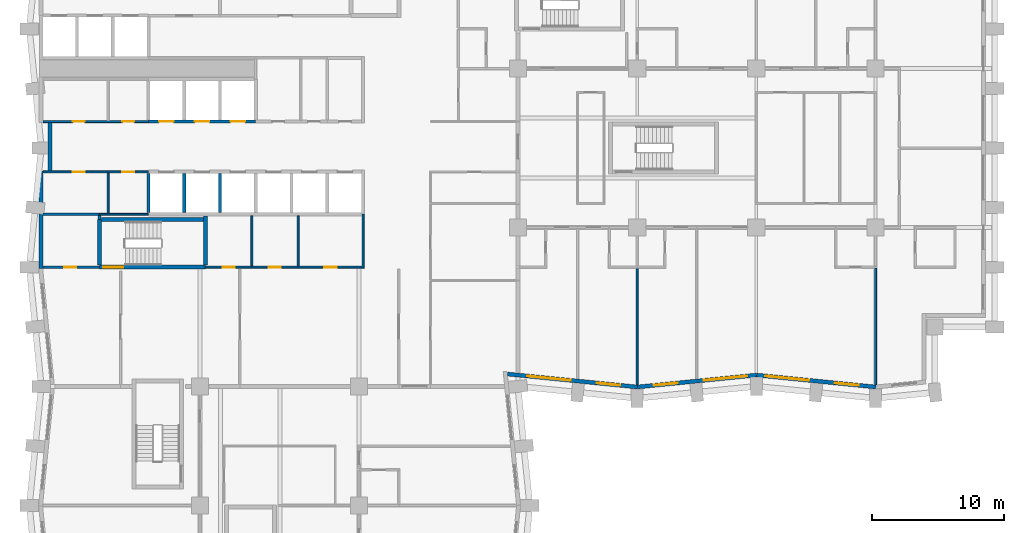
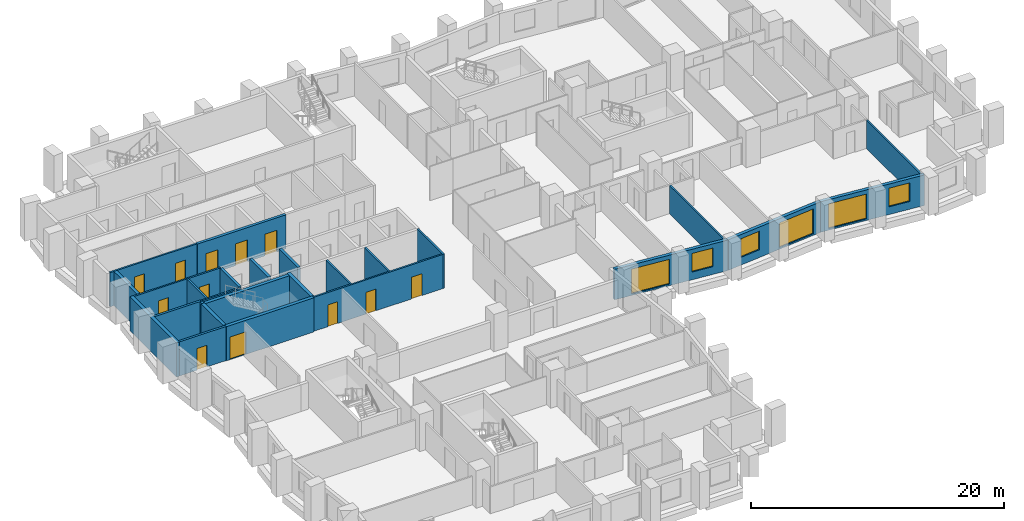
# One storey, part 5 of 12: 26 walls, 12 doors, 6 windows, 18 openings.
"""IFC4 building model written with IfcOpenShell, lengths in metres."""

from ifc_helpers import new_model, si_unit, direction, frame, frame_2d, origin, place, context, subcontext, project, spatial, rectangle, extrude, material, layer, layer_set, type_object, element, fill, save


model = new_model("IFC4")

# Units and contexts
model_context = context("Model", 3, precision=1e-05, world=origin(), true_north=direction((0.0, 1.0)))
body_context = subcontext(model_context, "Body", "Model", "MODEL_VIEW")
ifc_project = project(units=[si_unit("LENGTHUNIT", "METRE"), si_unit("AREAUNIT", "SQUARE_METRE"), si_unit("VOLUMEUNIT", "CUBIC_METRE"), si_unit("PLANEANGLEUNIT", "RADIAN"), si_unit("MASSUNIT", "GRAM", prefix="KILO")], contexts=[model_context])

# Site, building, storey
site_placement = place(None, origin())
site = spatial("IfcSite", under=ifc_project, at=site_placement, CompositionType="ELEMENT")
building_placement = place(site_placement, origin())
building = spatial("IfcBuilding", under=site, at=building_placement, Name="Brondeck Convention Tower", CompositionType="ELEMENT")
storey_placement = place(building_placement, frame((0.0, 0.0, 77.10009765625)))
storey = spatial("IfcBuildingStorey", under=building, at=storey_placement, Name="L17", CompositionType="ELEMENT", Elevation=77.10009765625)

# Wall, openings, doors
ifc_material_1 = material(Name="Concrete C80/95", Category="concrete")
ifc_layer_1 = layer(ifc_material_1, 0.14990234375)
ifc_layer_set_1 = layer_set([ifc_layer_1], Name="Core beam-seat wall 150 Concrete C80/95")
wall_type_1 = type_object("IfcWallType", Name="Core beam-seat wall 150 Concrete C80/95", PredefinedType="SHEAR", material=ifc_layer_set_1)
wall_1_placement = place(storey_placement, frame((12.39990234375, 36.0, 0.0), z_axis=(0.0, 0.0, 1.0), x_axis=(1.0, 0.0, 0.0)))
wall_1 = element("IfcWall", 1, at=wall_1_placement, inside=storey, type_object=wall_type_1, Name="L17 core wall", PredefinedType="SHEAR", context=body_context, shape_type="SweptSolid", body=[
    extrude(rectangle(XDim=11.8251953125, YDim=0.14990234375, at=frame_2d((5.91259765625, 0.0))), origin(), (0.0, 0.0, 1.0), 3.2998046875),
])
opening_1_placement = place(wall_1_placement, frame((1.300048828125, 0.0, 0.0)))
opening_1 = element("IfcOpeningElement", 2, at=opening_1_placement, cuts=wall_1, Name="Opening C12-03", PredefinedType="OPENING", context=body_context, shape_type="SweptSolid", body=[
    extrude(rectangle(XDim=0.89990234375, YDim=2.10009765625, at=frame_2d((0.449951171875, 1.050048828125))), frame((0.0, 0.0849609375, 0.0), z_axis=(0.0, -1.0, 0.0), x_axis=(1.0, 0.0, 0.0)), (0.0, 0.0, 1.0), 0.169921875),
])
opening_2_placement = place(wall_1_placement, frame((4.800048828125, 0.0, 0.0)))
opening_2 = element("IfcOpeningElement", 3, at=opening_2_placement, cuts=wall_1, Name="Opening C12-04", PredefinedType="OPENING", context=body_context, shape_type="SweptSolid", body=[
    extrude(rectangle(XDim=0.89990234375, YDim=2.10009765625, at=frame_2d((0.449951171875, 1.050048828125))), frame((0.0, 0.0849609375, 0.0), z_axis=(0.0, -1.0, 0.0), x_axis=(1.0, 0.0, 0.0)), (0.0, 0.0, 1.0), 0.169921875),
])
opening_3_placement = place(wall_1_placement, frame((8.97509765625, 0.0, 0.0)))
opening_3 = element("IfcOpeningElement", 4, at=opening_3_placement, cuts=wall_1, Name="Opening C12-05", PredefinedType="OPENING", context=body_context, shape_type="SweptSolid", body=[
    extrude(rectangle(XDim=0.949951171875, YDim=2.10009765625, at=frame_2d((0.47509765625, 1.050048828125))), frame((0.0, 0.0849609375, 0.0), z_axis=(0.0, -1.0, 0.0), x_axis=(1.0, 0.0, 0.0)), (0.0, 0.0, 1.0), 0.169921875),
])
ifc_material_2 = material(Name="Steel fire door", Category="steel")
door_type_1 = type_object("IfcDoorType", Name="Room door 900x2100 EI 60", OperationType="NOTDEFINED", PredefinedType="DOOR", material=ifc_material_2)
door_1_placement = place(opening_1_placement, origin())
door_1 = element("IfcDoor", 5, at=door_1_placement, inside=storey, type_object=door_type_1, Name="L17 Room door FR-1", OperationType="SINGLE_SWING_RIGHT", OverallHeight=2.10009765625, OverallWidth=0.89990234375, PredefinedType="DOOR", context=body_context, shape_type="SweptSolid", body=[
    extrude(rectangle(XDim=0.89990234375, YDim=2.10009765625, at=frame_2d((0.449951171875, 1.050048828125))), frame((0.0, 0.02490234375, 0.0), z_axis=(0.0, -1.0, 0.0), x_axis=(1.0, 0.0, 0.0)), (0.0, 0.0, 1.0), 0.050048828125),
])
fill(opening_1, door_1)
door_2_placement = place(opening_2_placement, origin())
door_2 = element("IfcDoor", 6, at=door_2_placement, inside=storey, type_object=door_type_1, Name="L17 Room door FR-2", OperationType="SINGLE_SWING_LEFT", OverallHeight=2.10009765625, OverallWidth=0.89990234375, PredefinedType="DOOR", context=body_context, shape_type="SweptSolid", body=[
    extrude(rectangle(XDim=0.89990234375, YDim=2.10009765625, at=frame_2d((0.449951171875, 1.050048828125))), frame((0.0, 0.02490234375, 0.0), z_axis=(0.0, -1.0, 0.0), x_axis=(1.0, 0.0, 0.0)), (0.0, 0.0, 1.0), 0.050048828125),
])
fill(opening_2, door_2)
door_type_2 = type_object("IfcDoorType", Name="Room door 950x2100 EI 60", OperationType="NOTDEFINED", PredefinedType="DOOR", material=ifc_material_2)
door_3_placement = place(opening_3_placement, origin())
door_3 = element("IfcDoor", 7, at=door_3_placement, inside=storey, type_object=door_type_2, Name="L17 Room door FR-3", OperationType="SINGLE_SWING_RIGHT", OverallHeight=2.10009765625, OverallWidth=0.949951171875, PredefinedType="DOOR", context=body_context, shape_type="SweptSolid", body=[
    extrude(rectangle(XDim=0.949951171875, YDim=2.10009765625, at=frame_2d((0.47509765625, 1.050048828125))), frame((0.0, 0.02490234375, 0.0), z_axis=(0.0, -1.0, 0.0), x_axis=(1.0, 0.0, 0.0)), (0.0, 0.0, 1.0), 0.050048828125),
])
fill(opening_3, door_3)

# Walls
wall_2_placement = place(storey_placement, frame((24.300048828125, 35.925048828125, 0.0), z_axis=(0.0, 0.0, 1.0), x_axis=(0.0, 1.0, 0.0)))
element("IfcWall", 8, at=wall_2_placement, inside=storey, type_object=wall_type_1, Name="L17 core wall", PredefinedType="SHEAR", context=body_context, shape_type="SweptSolid", body=[
    extrude(rectangle(XDim=4.074951171875, YDim=0.14990234375, at=frame_2d((2.03759765625, 0.0))), origin(), (0.0, 0.0, 1.0), 3.2998046875),
])
ifc_layer_2 = layer(ifc_material_1, 0.300048828125)
ifc_layer_set_2 = layer_set([ifc_layer_2], Name="Core outer wall 300 Concrete C80/95")
wall_type_2 = type_object("IfcWallType", Name="Core outer wall 300 Concrete C80/95", PredefinedType="SHEAR", material=ifc_layer_set_2)
wall_3_placement = place(storey_placement, frame((0.0, 35.89990234375, 0.0), z_axis=(0.0, 0.0, 1.0), x_axis=(0.0, 1.0, 0.0)))
element("IfcWall", 9, at=wall_3_placement, inside=storey, type_object=wall_type_2, Name="L17 core wall", PredefinedType="SHEAR", context=body_context, shape_type="SweptSolid", body=[
    extrude(rectangle(XDim=7.375, YDim=0.300048828125, at=frame_2d((3.6875, 0.0))), origin(), (0.0, 0.0, 1.0), 3.2998046875),
])
wall_4_placement = place(storey_placement, frame((0.64990234375, 43.27490234375, 0.0), z_axis=(0.0, 0.0, 1.0), x_axis=(0.0, 1.0, 0.0)))
element("IfcWall", 10, at=wall_4_placement, inside=storey, type_object=wall_type_2, Name="L17 core wall", PredefinedType="SHEAR", context=body_context, shape_type="SweptSolid", body=[
    extrude(rectangle(XDim=3.650146484375, YDim=0.300048828125, at=frame_2d((1.8251953125, 0.0))), origin(), (0.0, 0.0, 1.0), 3.2998046875),
])
ifc_material_3 = material(Name="Fire-rated gypsum board partition")
ifc_layer_3 = layer(ifc_material_3, 0.14990234375)
ifc_layer_set_3 = layer_set([ifc_layer_3], Name="Core partition 150 EI 60")
wall_type_3 = type_object("IfcWallType", Name="Core partition 150 EI 60", PredefinedType="PARTITIONING", material=ifc_layer_set_3)
wall_5_placement = place(storey_placement, frame((4.39990234375, 40.0, 0.0), z_axis=(0.0, 0.0, 1.0), x_axis=(1.0, 0.0, 0.0)))
element("IfcWall", 11, at=wall_5_placement, inside=storey, type_object=wall_type_3, Name="L17 core wall", PredefinedType="PARTITIONING", context=body_context, shape_type="SweptSolid", body=[
    extrude(rectangle(XDim=3.7001953125, YDim=0.14990234375, at=frame_2d((1.85009765625, 0.0))), origin(), (0.0, 0.0, 1.0), 3.2998046875),
])

# Wall, openings, doors
wall_6_placement = place(storey_placement, frame((0.14990234375, 43.199951171875, 0.0), z_axis=(0.0, 0.0, 1.0), x_axis=(1.0, 0.0, 0.0)))
wall_6 = element("IfcWall", 12, at=wall_6_placement, inside=storey, type_object=wall_type_3, Name="L17 core wall", PredefinedType="PARTITIONING", context=body_context, shape_type="SweptSolid", body=[
    extrude(rectangle(XDim=7.9501953125, YDim=0.14990234375, at=frame_2d((3.97509765625, 0.0))), origin(), (0.0, 0.0, 1.0), 3.2998046875),
])
opening_4_placement = place(wall_6_placement, frame((2.25, 0.0, 0.0)))
opening_4 = element("IfcOpeningElement", 13, at=opening_4_placement, cuts=wall_6, Name="Opening C12-11", PredefinedType="OPENING", context=body_context, shape_type="SweptSolid", body=[
    extrude(rectangle(XDim=0.89990234375, YDim=2.10009765625, at=frame_2d((0.449951171875, 1.050048828125))), frame((0.0, 0.0849609375, 0.0), z_axis=(0.0, -1.0, 0.0), x_axis=(1.0, 0.0, 0.0)), (0.0, 0.0, 1.0), 0.169921875),
])
opening_5_placement = place(wall_6_placement, frame((5.97509765625, 0.0, 0.0)))
opening_5 = element("IfcOpeningElement", 14, at=opening_5_placement, cuts=wall_6, Name="Opening C12-12", PredefinedType="OPENING", context=body_context, shape_type="SweptSolid", body=[
    extrude(rectangle(XDim=0.89990234375, YDim=2.10009765625, at=frame_2d((0.449951171875, 1.050048828125))), frame((0.0, 0.0849609375, 0.0), z_axis=(0.0, -1.0, 0.0), x_axis=(1.0, 0.0, 0.0)), (0.0, 0.0, 1.0), 0.169921875),
])
door_4_placement = place(opening_4_placement, origin())
door_4 = element("IfcDoor", 15, at=door_4_placement, inside=storey, type_object=door_type_1, Name="L17 Room door FZ-S-0-1", OperationType="SINGLE_SWING_LEFT", OverallHeight=2.10009765625, OverallWidth=0.89990234375, PredefinedType="DOOR", context=body_context, shape_type="SweptSolid", body=[
    extrude(rectangle(XDim=0.89990234375, YDim=2.10009765625, at=frame_2d((0.449951171875, 1.050048828125))), frame((0.0, 0.02490234375, 0.0), z_axis=(0.0, -1.0, 0.0), x_axis=(1.0, 0.0, 0.0)), (0.0, 0.0, 1.0), 0.050048828125),
])
fill(opening_4, door_4)
door_5_placement = place(opening_5_placement, origin())
door_5 = element("IfcDoor", 16, at=door_5_placement, inside=storey, type_object=door_type_1, Name="L17 Room door FZ-S-0-2", OperationType="SINGLE_SWING_RIGHT", OverallHeight=2.10009765625, OverallWidth=0.89990234375, PredefinedType="DOOR", context=body_context, shape_type="SweptSolid", body=[
    extrude(rectangle(XDim=0.89990234375, YDim=2.10009765625, at=frame_2d((0.449951171875, 1.050048828125))), frame((0.0, 0.02490234375, 0.0), z_axis=(0.0, -1.0, 0.0), x_axis=(1.0, 0.0, 0.0)), (0.0, 0.0, 1.0), 0.050048828125),
])
fill(opening_5, door_5)

wall_7_placement = place(storey_placement, frame((0.14990234375, 47.0, 0.0), z_axis=(0.0, 0.0, 1.0), x_axis=(1.0, 0.0, 0.0)))
wall_7 = element("IfcWall", 17, at=wall_7_placement, inside=storey, type_object=wall_type_3, Name="L17 core wall", PredefinedType="PARTITIONING", context=body_context, shape_type="SweptSolid", body=[
    extrude(rectangle(XDim=7.9501953125, YDim=0.14990234375, at=frame_2d((3.97509765625, 0.0))), origin(), (0.0, 0.0, 1.0), 3.2998046875),
])
opening_6_placement = place(wall_7_placement, frame((2.25, 0.0, 0.0)))
opening_6 = element("IfcOpeningElement", 18, at=opening_6_placement, cuts=wall_7, Name="Opening C12-07", PredefinedType="OPENING", context=body_context, shape_type="SweptSolid", body=[
    extrude(rectangle(XDim=0.89990234375, YDim=2.10009765625, at=frame_2d((0.449951171875, 1.050048828125))), frame((0.0, 0.0849609375, 0.0), z_axis=(0.0, -1.0, 0.0), x_axis=(1.0, 0.0, 0.0)), (0.0, 0.0, 1.0), 0.169921875),
])
opening_7_placement = place(wall_7_placement, frame((5.97509765625, 0.0, 0.0)))
opening_7 = element("IfcOpeningElement", 19, at=opening_7_placement, cuts=wall_7, Name="Opening C12-08", PredefinedType="OPENING", context=body_context, shape_type="SweptSolid", body=[
    extrude(rectangle(XDim=0.89990234375, YDim=2.10009765625, at=frame_2d((0.449951171875, 1.050048828125))), frame((0.0, 0.0849609375, 0.0), z_axis=(0.0, -1.0, 0.0), x_axis=(1.0, 0.0, 0.0)), (0.0, 0.0, 1.0), 0.169921875),
])
door_6_placement = place(opening_6_placement, origin())
door_6 = element("IfcDoor", 20, at=door_6_placement, inside=storey, type_object=door_type_1, Name="L17 Room door FZ-N-0-1", OperationType="SINGLE_SWING_RIGHT", OverallHeight=2.10009765625, OverallWidth=0.89990234375, PredefinedType="DOOR", context=body_context, shape_type="SweptSolid", body=[
    extrude(rectangle(XDim=0.89990234375, YDim=2.10009765625, at=frame_2d((0.449951171875, 1.050048828125))), frame((0.0, 0.02490234375, 0.0), z_axis=(0.0, -1.0, 0.0), x_axis=(1.0, 0.0, 0.0)), (0.0, 0.0, 1.0), 0.050048828125),
])
fill(opening_6, door_6)
door_7_placement = place(opening_7_placement, origin())
door_7 = element("IfcDoor", 21, at=door_7_placement, inside=storey, type_object=door_type_1, Name="L17 Room door FZ-N-0-2", OperationType="SINGLE_SWING_LEFT", OverallHeight=2.10009765625, OverallWidth=0.89990234375, PredefinedType="DOOR", context=body_context, shape_type="SweptSolid", body=[
    extrude(rectangle(XDim=0.89990234375, YDim=2.10009765625, at=frame_2d((0.449951171875, 1.050048828125))), frame((0.0, 0.02490234375, 0.0), z_axis=(0.0, -1.0, 0.0), x_axis=(1.0, 0.0, 0.0)), (0.0, 0.0, 1.0), 0.050048828125),
])
fill(opening_7, door_7)

# Walls
wall_8_placement = place(storey_placement, frame((5.050048828125, 40.074951171875, 0.0), z_axis=(0.0, 0.0, 1.0), x_axis=(0.0, 1.0, 0.0)))
element("IfcWall", 22, at=wall_8_placement, inside=storey, type_object=wall_type_3, Name="L17 core wall", PredefinedType="PARTITIONING", context=body_context, shape_type="SweptSolid", body=[
    extrude(rectangle(XDim=3.050048828125, YDim=0.14990234375, at=frame_2d((1.52490234375, 0.0))), origin(), (0.0, 0.0, 1.0), 3.2998046875),
])
for number, where, z_axis, x_axis, name in (
    (23, (15.89990234375, 36.074951171875, 0.0), (0.0, 0.0, 1.0), (0.0, 1.0, 0.0), "L17 core wall"),
    (24, (19.39990234375, 36.074951171875, 0.0), (0.0, 0.0, 1.0), (0.0, 1.0, 0.0), "L17 core wall"),
):
    element("IfcWall", number, at=place(storey_placement, frame(where, z_axis=z_axis, x_axis=x_axis)), inside=storey, type_object=wall_type_3, Name=name, PredefinedType="PARTITIONING", context=body_context, shape_type="SweptSolid", body=[
        extrude(rectangle(XDim=3.800048828125, YDim=0.14990234375, at=frame_2d((1.89990234375, 0.0))), origin(), (0.0, 0.0, 1.0), 3.2998046875),
    ])

# Wall, openings, windows
ifc_material_4 = material(Name="Precast concrete C50/60 bronze finish", Category="concrete")
ifc_layer_4 = layer(ifc_material_4, 0.070068359375, Name="Bronze precast facing")
ifc_material_5 = material(Name="Mineral wool")
ifc_layer_5 = layer(ifc_material_5, 0.159912109375, Name="Insulation")
ifc_material_6 = material(Name="Concrete C35/45", Category="concrete")
ifc_layer_6 = layer(ifc_material_6, 0.070068359375, Name="Backing")
ifc_layer_set_4 = layer_set([ifc_layer_4, ifc_layer_5, ifc_layer_6], Name="External infill wall, precast concrete C50/60 bronze facing")
wall_type_4 = type_object("IfcWallType", Name="External infill wall, precast concrete C50/60 bronze facing", PredefinedType="SOLIDWALL", material=ifc_layer_set_4)
wall_9_placement = place(storey_placement, frame((45.014892578125, 26.95263671875, 0.0), z_axis=(0.0, 0.0, 1.0), x_axis=(-0.995036699177, 0.099508629231, 0.0)))
wall_9 = element("IfcWall", 25, at=wall_9_placement, inside=storey, type_object=wall_type_4, Name="ENV-EW-L17-P0-A-S-00", PredefinedType="SOLIDWALL", context=body_context, shape_type="SweptSolid", body=[
    extrude(rectangle(XDim=9.845703125, YDim=0.300048828125, at=frame_2d((4.9228515625, 0.0))), origin(), (0.0, 0.0, 1.0), 2.949951171875),
])
opening_8_placement = place(wall_9_placement, frame((1.291259765625, 0.0, 0.75)))
opening_8 = element("IfcOpeningElement", 26, at=opening_8_placement, cuts=wall_9, Name="Opening W10", PredefinedType="OPENING", context=body_context, shape_type="SweptSolid", body=[
    extrude(rectangle(XDim=1.800048828125, YDim=1.800048828125, at=frame_2d((0.89990234375, 0.89990234375))), frame((0.0, 0.159912109375, 0.0), z_axis=(0.0, -1.0, 0.0), x_axis=(1.0, 0.0, 0.0)), (0.0, 0.0, 1.0), 0.320068359375),
])
opening_9_placement = place(wall_9_placement, frame((5.063720703125, 0.0, 0.14990234375)))
opening_9 = element("IfcOpeningElement", 27, at=opening_9_placement, cuts=wall_9, Name="Opening W9", PredefinedType="OPENING", context=body_context, shape_type="SweptSolid", body=[
    extrude(rectangle(XDim=3.300048828125, YDim=2.39990234375, at=frame_2d((1.64990234375, 1.199951171875))), frame((0.0, 0.159912109375, 0.0), z_axis=(0.0, -1.0, 0.0), x_axis=(1.0, 0.0, 0.0)), (0.0, 0.0, 1.0), 0.320068359375),
])
ifc_material_7 = material(Name="Bronze tinted double glazing", Category="glass")
window_type_1 = type_object("IfcWindowType", Name="Glazed flute window, bronze tinted", PartitioningType="SINGLE_PANEL", PredefinedType="WINDOW", material=ifc_material_7)
window_1_placement = place(opening_9_placement, origin())
window_1 = element("IfcWindow", 28, at=window_1_placement, inside=storey, type_object=window_type_1, Name="ENV-WN-L17-P0-A-S-00", OverallHeight=2.39990234375, OverallWidth=3.300048828125, PartitioningType="SINGLE_PANEL", PredefinedType="WINDOW", context=body_context, shape_type="SweptSolid", body=[
    extrude(rectangle(XDim=3.300048828125, YDim=2.39990234375, at=frame_2d((1.64990234375, 1.199951171875))), frame((0.0, 0.030029296875, 0.0), z_axis=(0.0, -1.0, 0.0), x_axis=(1.0, 0.0, 0.0)), (0.0, 0.0, 1.0), 0.06005859375),
])
fill(opening_9, window_1)
window_type_2 = type_object("IfcWindowType", Name="Punched window, bronze tinted", PartitioningType="SINGLE_PANEL", PredefinedType="WINDOW", material=ifc_material_7)
window_2_placement = place(opening_8_placement, origin())
window_2 = element("IfcWindow", 29, at=window_2_placement, inside=storey, type_object=window_type_2, Name="ENV-WN-L17-P0-A-S-01", OverallHeight=1.800048828125, OverallWidth=1.800048828125, PartitioningType="SINGLE_PANEL", PredefinedType="WINDOW", context=body_context, shape_type="SweptSolid", body=[
    extrude(rectangle(XDim=1.800048828125, YDim=1.800048828125, at=frame_2d((0.89990234375, 0.89990234375))), frame((0.0, 0.030029296875, 0.0), z_axis=(0.0, -1.0, 0.0), x_axis=(1.0, 0.0, 0.0)), (0.0, 0.0, 1.0), 0.06005859375),
])
fill(opening_8, window_2)

wall_10_placement = place(storey_placement, frame((54.014892578125, 27.855712890625, 0.0), z_axis=(0.0, 0.0, 1.0), x_axis=(-0.995037993253, -0.099495688264, 0.0)))
wall_10 = element("IfcWall", 30, at=wall_10_placement, inside=storey, type_object=wall_type_4, Name="ENV-EW-L17-P0-A-S-02", PredefinedType="SOLIDWALL", context=body_context, shape_type="SweptSolid", body=[
    extrude(rectangle(XDim=9.030029296875, YDim=0.300048828125, at=frame_2d((4.51513671875, 0.0))), origin(), (0.0, 0.0, 1.0), 2.949951171875),
])
opening_10_placement = place(wall_10_placement, frame((0.711181640625, 0.0, 0.14990234375)))
opening_10 = element("IfcOpeningElement", 31, at=opening_10_placement, cuts=wall_10, Name="Opening W9", PredefinedType="OPENING", context=body_context, shape_type="SweptSolid", body=[
    extrude(rectangle(XDim=3.300048828125, YDim=2.39990234375, at=frame_2d((1.64990234375, 1.199951171875))), frame((0.0, 0.159912109375, 0.0), z_axis=(0.0, -1.0, 0.0), x_axis=(1.0, 0.0, 0.0)), (0.0, 0.0, 1.0), 0.320068359375),
])
opening_11_placement = place(wall_10_placement, frame((5.983642578125, 0.0, 0.75)))
opening_11 = element("IfcOpeningElement", 32, at=opening_11_placement, cuts=wall_10, Name="Opening W10", PredefinedType="OPENING", context=body_context, shape_type="SweptSolid", body=[
    extrude(rectangle(XDim=1.800048828125, YDim=1.800048828125, at=frame_2d((0.89990234375, 0.89990234375))), frame((0.0, 0.159912109375, 0.0), z_axis=(0.0, -1.0, 0.0), x_axis=(1.0, 0.0, 0.0)), (0.0, 0.0, 1.0), 0.320068359375),
])
window_3_placement = place(opening_10_placement, origin())
window_3 = element("IfcWindow", 33, at=window_3_placement, inside=storey, type_object=window_type_1, Name="ENV-WN-L17-P0-A-S-03", OverallHeight=2.39990234375, OverallWidth=3.300048828125, PartitioningType="SINGLE_PANEL", PredefinedType="WINDOW", context=body_context, shape_type="SweptSolid", body=[
    extrude(rectangle(XDim=3.300048828125, YDim=2.39990234375, at=frame_2d((1.64990234375, 1.199951171875))), frame((0.0, 0.030029296875, 0.0), z_axis=(0.0, -1.0, 0.0), x_axis=(1.0, 0.0, 0.0)), (0.0, 0.0, 1.0), 0.06005859375),
])
fill(opening_10, window_3)
window_4_placement = place(opening_11_placement, origin())
window_4 = element("IfcWindow", 34, at=window_4_placement, inside=storey, type_object=window_type_2, Name="ENV-WN-L17-P0-A-S-02", OverallHeight=1.800048828125, OverallWidth=1.800048828125, PartitioningType="SINGLE_PANEL", PredefinedType="WINDOW", context=body_context, shape_type="SweptSolid", body=[
    extrude(rectangle(XDim=1.800048828125, YDim=1.800048828125, at=frame_2d((0.89990234375, 0.89990234375))), frame((0.0, 0.030029296875, 0.0), z_axis=(0.0, -1.0, 0.0), x_axis=(1.0, 0.0, 0.0)), (0.0, 0.0, 1.0), 0.06005859375),
])
fill(opening_11, window_4)

wall_11_placement = place(storey_placement, frame((63.014892578125, 26.95263671875, 0.0), z_axis=(0.0, 0.0, 1.0), x_axis=(-0.995035316196, 0.099522457379, 0.0)))
wall_11 = element("IfcWall", 35, at=wall_11_placement, inside=storey, type_object=wall_type_4, Name="ENV-EW-L17-P0-A-S-04", PredefinedType="SOLIDWALL", context=body_context, shape_type="SweptSolid", body=[
    extrude(rectangle(XDim=9.030029296875, YDim=0.300048828125, at=frame_2d((4.51513671875, 0.0))), origin(), (0.0, 0.0, 1.0), 2.949951171875),
])
opening_12_placement = place(wall_11_placement, frame((1.291259765625, 0.0, 0.75)))
opening_12 = element("IfcOpeningElement", 36, at=opening_12_placement, cuts=wall_11, Name="Opening W10", PredefinedType="OPENING", context=body_context, shape_type="SweptSolid", body=[
    extrude(rectangle(XDim=1.800048828125, YDim=1.800048828125, at=frame_2d((0.89990234375, 0.89990234375))), frame((0.0, 0.159912109375, 0.0), z_axis=(0.0, -1.0, 0.0), x_axis=(1.0, 0.0, 0.0)), (0.0, 0.0, 1.0), 0.320068359375),
])
opening_13_placement = place(wall_11_placement, frame((5.063720703125, 0.0, 0.14990234375)))
opening_13 = element("IfcOpeningElement", 37, at=opening_13_placement, cuts=wall_11, Name="Opening W9", PredefinedType="OPENING", context=body_context, shape_type="SweptSolid", body=[
    extrude(rectangle(XDim=3.300048828125, YDim=2.39990234375, at=frame_2d((1.64990234375, 1.199951171875))), frame((0.0, 0.159912109375, 0.0), z_axis=(0.0, -1.0, 0.0), x_axis=(1.0, 0.0, 0.0)), (0.0, 0.0, 1.0), 0.320068359375),
])
window_5_placement = place(opening_13_placement, origin())
window_5 = element("IfcWindow", 38, at=window_5_placement, inside=storey, type_object=window_type_1, Name="ENV-WN-L17-P0-A-S-04", OverallHeight=2.39990234375, OverallWidth=3.300048828125, PartitioningType="SINGLE_PANEL", PredefinedType="WINDOW", context=body_context, shape_type="SweptSolid", body=[
    extrude(rectangle(XDim=3.300048828125, YDim=2.39990234375, at=frame_2d((1.64990234375, 1.199951171875))), frame((0.0, 0.030029296875, 0.0), z_axis=(0.0, -1.0, 0.0), x_axis=(1.0, 0.0, 0.0)), (0.0, 0.0, 1.0), 0.06005859375),
])
fill(opening_13, window_5)
window_6_placement = place(opening_12_placement, origin())
window_6 = element("IfcWindow", 39, at=window_6_placement, inside=storey, type_object=window_type_2, Name="ENV-WN-L17-P0-A-S-05", OverallHeight=1.800048828125, OverallWidth=1.800048828125, PartitioningType="SINGLE_PANEL", PredefinedType="WINDOW", context=body_context, shape_type="SweptSolid", body=[
    extrude(rectangle(XDim=1.800048828125, YDim=1.800048828125, at=frame_2d((0.89990234375, 0.89990234375))), frame((0.0, 0.030029296875, 0.0), z_axis=(0.0, -1.0, 0.0), x_axis=(1.0, 0.0, 0.0)), (0.0, 0.0, 1.0), 0.06005859375),
])
fill(opening_12, window_6)

# Walls
ifc_material_8 = material(Name="Double gypsum board acoustic wall")
ifc_layer_7 = layer(ifc_material_8, 0.14990234375)
ifc_layer_set_5 = layer_set([ifc_layer_7], Name="Guest room party wall 150")
wall_type_5 = type_object("IfcWallType", Name="Guest room party wall 150", PredefinedType="PARTITIONING", material=ifc_layer_set_5)
for number, where, z_axis, x_axis, name in (
    (40, (45.0, 35.925048828125, 0.0), (0.0, 0.0, 1.0), (0.0, -1.0, 0.0), "FLR-L17-W049"),
    (41, (63.0, 35.925048828125, 0.0), (0.0, 0.0, 1.0), (0.0, -1.0, 0.0), "FLR-L17-W050"),
):
    element("IfcWall", number, at=place(storey_placement, frame(where, z_axis=z_axis, x_axis=x_axis)), inside=storey, type_object=wall_type_5, Name=name, PredefinedType="PARTITIONING", context=body_context, shape_type="SweptSolid", body=[
        extrude(rectangle(XDim=8.800048828125, YDim=0.14990234375, at=frame_2d((4.39990234375, 0.0))), origin(), (0.0, 0.0, 1.0), 2.72998046875),
    ])

# Wall, openings, doors
ifc_layer_8 = layer(ifc_material_1, 0.25)
ifc_layer_set_6 = layer_set([ifc_layer_8], Name="Lift shaft wall 250 Concrete C80/95")
wall_type_6 = type_object("IfcWallType", Name="Lift shaft wall 250 Concrete C80/95", PredefinedType="SHEAR", material=ifc_layer_set_6)
wall_12_placement = place(storey_placement, frame((8.10009765625, 47.0, 0.0), z_axis=(0.0, 0.0, 1.0), x_axis=(1.0, 0.0, 0.0)))
wall_12 = element("IfcWall", 42, at=wall_12_placement, inside=storey, type_object=wall_type_6, Name="L17 core wall", PredefinedType="SHEAR", context=body_context, shape_type="SweptSolid", body=[
    extrude(rectangle(XDim=8.099853515625, YDim=0.25, at=frame_2d((4.0498046875, 0.0))), origin(), (0.0, 0.0, 1.0), 3.2998046875),
])
opening_14_placement = place(wall_12_placement, frame((0.800048828125, 0.0, 0.0)))
opening_14 = element("IfcOpeningElement", 43, at=opening_14_placement, cuts=wall_12, Name="Opening C12-28", PredefinedType="OPENING", context=body_context, shape_type="SweptSolid", body=[
    extrude(rectangle(XDim=1.10009765625, YDim=2.10009765625, at=frame_2d((0.550048828125, 1.050048828125))), frame((0.0, 0.135009765625, 0.0), z_axis=(0.0, -1.0, 0.0), x_axis=(1.0, 0.0, 0.0)), (0.0, 0.0, 1.0), 0.27001953125),
])
opening_15_placement = place(wall_12_placement, frame((3.5, 0.0, 0.0)))
opening_15 = element("IfcOpeningElement", 44, at=opening_15_placement, cuts=wall_12, Name="Opening C12-29", PredefinedType="OPENING", context=body_context, shape_type="SweptSolid", body=[
    extrude(rectangle(XDim=1.10009765625, YDim=2.10009765625, at=frame_2d((0.550048828125, 1.050048828125))), frame((0.0, 0.135009765625, 0.0), z_axis=(0.0, -1.0, 0.0), x_axis=(1.0, 0.0, 0.0)), (0.0, 0.0, 1.0), 0.27001953125),
])
opening_16_placement = place(wall_12_placement, frame((6.199951171875, 0.0, 0.0)))
opening_16 = element("IfcOpeningElement", 45, at=opening_16_placement, cuts=wall_12, Name="Opening C12-30", PredefinedType="OPENING", context=body_context, shape_type="SweptSolid", body=[
    extrude(rectangle(XDim=1.10009765625, YDim=2.10009765625, at=frame_2d((0.550048828125, 1.050048828125))), frame((0.0, 0.135009765625, 0.0), z_axis=(0.0, -1.0, 0.0), x_axis=(1.0, 0.0, 0.0)), (0.0, 0.0, 1.0), 0.27001953125),
])
ifc_material_9 = material(Name="Stainless steel lift door", Category="steel")
door_type_3 = type_object("IfcDoorType", Name="Lift landing door 1100x2100 EI 180", OperationType="DOUBLE_DOOR_SLIDING", PredefinedType="DOOR", material=ifc_material_9)
door_8_placement = place(opening_14_placement, origin())
door_8 = element("IfcDoor", 46, at=door_8_placement, inside=storey, type_object=door_type_3, Name="L17 Lift landing door LR4", OperationType="DOUBLE_DOOR_SLIDING", OverallHeight=2.10009765625, OverallWidth=1.10009765625, PredefinedType="DOOR", context=body_context, shape_type="SweptSolid", body=[
    extrude(rectangle(XDim=1.10009765625, YDim=2.10009765625, at=frame_2d((0.550048828125, 1.050048828125))), frame((0.0, 0.02490234375, 0.0), z_axis=(0.0, -1.0, 0.0), x_axis=(1.0, 0.0, 0.0)), (0.0, 0.0, 1.0), 0.050048828125),
])
fill(opening_14, door_8)
door_9_placement = place(opening_15_placement, origin())
door_9 = element("IfcDoor", 47, at=door_9_placement, inside=storey, type_object=door_type_3, Name="L17 Lift landing door LR5", OperationType="DOUBLE_DOOR_SLIDING", OverallHeight=2.10009765625, OverallWidth=1.10009765625, PredefinedType="DOOR", context=body_context, shape_type="SweptSolid", body=[
    extrude(rectangle(XDim=1.10009765625, YDim=2.10009765625, at=frame_2d((0.550048828125, 1.050048828125))), frame((0.0, 0.02490234375, 0.0), z_axis=(0.0, -1.0, 0.0), x_axis=(1.0, 0.0, 0.0)), (0.0, 0.0, 1.0), 0.050048828125),
])
fill(opening_15, door_9)
door_10_placement = place(opening_16_placement, origin())
door_10 = element("IfcDoor", 48, at=door_10_placement, inside=storey, type_object=door_type_3, Name="L17 Lift landing door LR6", OperationType="DOUBLE_DOOR_SLIDING", OverallHeight=2.10009765625, OverallWidth=1.10009765625, PredefinedType="DOOR", context=body_context, shape_type="SweptSolid", body=[
    extrude(rectangle(XDim=1.10009765625, YDim=2.10009765625, at=frame_2d((0.550048828125, 1.050048828125))), frame((0.0, 0.02490234375, 0.0), z_axis=(0.0, -1.0, 0.0), x_axis=(1.0, 0.0, 0.0)), (0.0, 0.0, 1.0), 0.050048828125),
])
fill(opening_16, door_10)

# Walls
for number, where, z_axis, x_axis, name in (
    (49, (8.10009765625, 40.125, 0.0), (0.0, 0.0, 1.0), (0.0, 1.0, 0.0), "L17 core wall"),
    (50, (10.800048828125, 40.125, 0.0), (0.0, 0.0, 1.0), (0.0, 1.0, 0.0), "L17 core wall"),
    (51, (13.5, 40.125, 0.0), (0.0, 0.0, 1.0), (0.0, 1.0, 0.0), "L17 core wall"),
):
    element("IfcWall", number, at=place(storey_placement, frame(where, z_axis=z_axis, x_axis=x_axis)), inside=storey, type_object=wall_type_6, Name=name, PredefinedType="SHEAR", context=body_context, shape_type="SweptSolid", body=[
        extrude(rectangle(XDim=2.949951171875, YDim=0.25, at=frame_2d((1.47509765625, 0.0))), origin(), (0.0, 0.0, 1.0), 3.2998046875),
    ])

# Wall, opening, door
ifc_layer_9 = layer(ifc_material_3, 0.199951171875)
ifc_layer_set_7 = layer_set([ifc_layer_9], Name="Riser wall 200 EI 120")
wall_type_7 = type_object("IfcWallType", Name="Riser wall 200 EI 120", PredefinedType="PARTITIONING", material=ifc_layer_set_7)
wall_13_placement = place(storey_placement, frame((0.14990234375, 36.0, 0.0), z_axis=(0.0, 0.0, 1.0), x_axis=(1.0, 0.0, 0.0)))
wall_13 = element("IfcWall", 52, at=wall_13_placement, inside=storey, type_object=wall_type_7, Name="L17 core wall", PredefinedType="PARTITIONING", context=body_context, shape_type="SweptSolid", body=[
    extrude(rectangle(XDim=4.25, YDim=0.199951171875, at=frame_2d((2.125, 0.0))), origin(), (0.0, 0.0, 1.0), 3.2998046875),
])
opening_17_placement = place(wall_13_placement, frame((1.60009765625, 0.0, 0.0)))
opening_17 = element("IfcOpeningElement", 53, at=opening_17_placement, cuts=wall_13, Name="Opening C12-06", PredefinedType="OPENING", context=body_context, shape_type="SweptSolid", body=[
    extrude(rectangle(XDim=0.89990234375, YDim=2.10009765625, at=frame_2d((0.449951171875, 1.050048828125))), frame((0.0, 0.10986328125, 0.0), z_axis=(0.0, -1.0, 0.0), x_axis=(1.0, 0.0, 0.0)), (0.0, 0.0, 1.0), 0.219970703125),
])
door_type_4 = type_object("IfcDoorType", Name="Riser door 900x2100 EI 120", OperationType="NOTDEFINED", PredefinedType="DOOR", material=ifc_material_2)
door_11_placement = place(opening_17_placement, origin())
door_11 = element("IfcDoor", 54, at=door_11_placement, inside=storey, type_object=door_type_4, Name="L17 Riser door FRW-1", OperationType="SINGLE_SWING_LEFT", OverallHeight=2.10009765625, OverallWidth=0.89990234375, PredefinedType="DOOR", context=body_context, shape_type="SweptSolid", body=[
    extrude(rectangle(XDim=0.89990234375, YDim=2.10009765625, at=frame_2d((0.449951171875, 1.050048828125))), frame((0.0, 0.02490234375, 0.0), z_axis=(0.0, -1.0, 0.0), x_axis=(1.0, 0.0, 0.0)), (0.0, 0.0, 1.0), 0.050048828125),
])
fill(opening_17, door_11)

# Walls
wall_14_placement = place(storey_placement, frame((0.14990234375, 40.0, 0.0), z_axis=(0.0, 0.0, 1.0), x_axis=(1.0, 0.0, 0.0)))
element("IfcWall", 55, at=wall_14_placement, inside=storey, type_object=wall_type_7, Name="L17 core wall", PredefinedType="PARTITIONING", context=body_context, shape_type="SweptSolid", body=[
    extrude(rectangle(XDim=4.25, YDim=0.199951171875, at=frame_2d((2.125, 0.0))), origin(), (0.0, 0.0, 1.0), 3.2998046875),
])
wall_15_placement = place(storey_placement, frame((4.39990234375, 39.60009765625, 0.0), z_axis=(0.0, 0.0, 1.0), x_axis=(0.0, 1.0, 0.0)))
element("IfcWall", 56, at=wall_15_placement, inside=storey, type_object=wall_type_7, Name="L17 core wall", PredefinedType="PARTITIONING", context=body_context, shape_type="SweptSolid", body=[
    extrude(rectangle(XDim=0.2998046875, YDim=0.199951171875, at=frame_2d((0.14990234375, 0.0))), origin(), (0.0, 0.0, 1.0), 3.2998046875),
])

# Wall, opening, door
ifc_layer_10 = layer(ifc_material_1, 0.300048828125)
ifc_layer_set_8 = layer_set([ifc_layer_10], Name="Stair enclosure wall 300 Concrete C80/95")
wall_type_8 = type_object("IfcWallType", Name="Stair enclosure wall 300 Concrete C80/95", PredefinedType="SHEAR", material=ifc_layer_set_8)
wall_16_placement = place(storey_placement, frame((4.39990234375, 36.0, 0.0), z_axis=(0.0, 0.0, 1.0), x_axis=(1.0, 0.0, 0.0)))
wall_16 = element("IfcWall", 57, at=wall_16_placement, inside=storey, type_object=wall_type_8, Name="L17 core wall", PredefinedType="SHEAR", context=body_context, shape_type="SweptSolid", body=[
    extrude(rectangle(XDim=8.0, YDim=0.300048828125, at=frame_2d((4.0, 0.0))), origin(), (0.0, 0.0, 1.0), 3.2998046875),
])
opening_18_placement = place(wall_16_placement, frame((0.300048828125, 0.0, 0.0)))
opening_18 = element("IfcOpeningElement", 58, at=opening_18_placement, cuts=wall_16, Name="Opening C12-14", PredefinedType="OPENING", context=body_context, shape_type="SweptSolid", body=[
    extrude(rectangle(XDim=1.5, YDim=2.199951171875, at=frame_2d((0.75, 1.10009765625))), frame((0.0, 0.159912109375, 0.0), z_axis=(0.0, -1.0, 0.0), x_axis=(1.0, 0.0, 0.0)), (0.0, 0.0, 1.0), 0.320068359375),
])
door_type_5 = type_object("IfcDoorType", Name="Stair door 1500x2200 EI 90", OperationType="NOTDEFINED", PredefinedType="DOOR", material=ifc_material_2)
door_12_placement = place(opening_18_placement, origin())
door_12 = element("IfcDoor", 59, at=door_12_placement, inside=storey, type_object=door_type_5, Name="L17 Stair door ST-1", OperationType="SINGLE_SWING_RIGHT", OverallHeight=2.199951171875, OverallWidth=1.5, PredefinedType="DOOR", context=body_context, shape_type="SweptSolid", body=[
    extrude(rectangle(XDim=1.5, YDim=2.199951171875, at=frame_2d((0.75, 1.10009765625))), frame((0.0, 0.02490234375, 0.0), z_axis=(0.0, -1.0, 0.0), x_axis=(1.0, 0.0, 0.0)), (0.0, 0.0, 1.0), 0.050048828125),
])
fill(opening_18, door_12)

# Walls
wall_17_placement = place(storey_placement, frame((4.550048828125, 39.60009765625, 0.0), z_axis=(0.0, 0.0, 1.0), x_axis=(1.0, 0.0, 0.0)))
element("IfcWall", 60, at=wall_17_placement, inside=storey, type_object=wall_type_8, Name="L17 core wall", PredefinedType="SHEAR", context=body_context, shape_type="SweptSolid", body=[
    extrude(rectangle(XDim=7.699951171875, YDim=0.300048828125, at=frame_2d((3.85009765625, 0.0))), origin(), (0.0, 0.0, 1.0), 3.2998046875),
])
wall_18_placement = place(storey_placement, frame((4.39990234375, 36.14990234375, 0.0), z_axis=(0.0, 0.0, 1.0), x_axis=(0.0, 1.0, 0.0)))
element("IfcWall", 61, at=wall_18_placement, inside=storey, type_object=wall_type_8, Name="L17 core wall", PredefinedType="SHEAR", context=body_context, shape_type="SweptSolid", body=[
    extrude(rectangle(XDim=3.4501953125, YDim=0.300048828125, at=frame_2d((1.72509765625, 0.0))), origin(), (0.0, 0.0, 1.0), 3.2998046875),
])
wall_19_placement = place(storey_placement, frame((12.39990234375, 36.14990234375, 0.0), z_axis=(0.0, 0.0, 1.0), x_axis=(0.0, 1.0, 0.0)))
element("IfcWall", 62, at=wall_19_placement, inside=storey, type_object=wall_type_8, Name="L17 core wall", PredefinedType="SHEAR", context=body_context, shape_type="SweptSolid", body=[
    extrude(rectangle(XDim=3.72509765625, YDim=0.300048828125, at=frame_2d((1.862548828125, 0.0))), origin(), (0.0, 0.0, 1.0), 3.2998046875),
])

save(model, "model.ifc")
